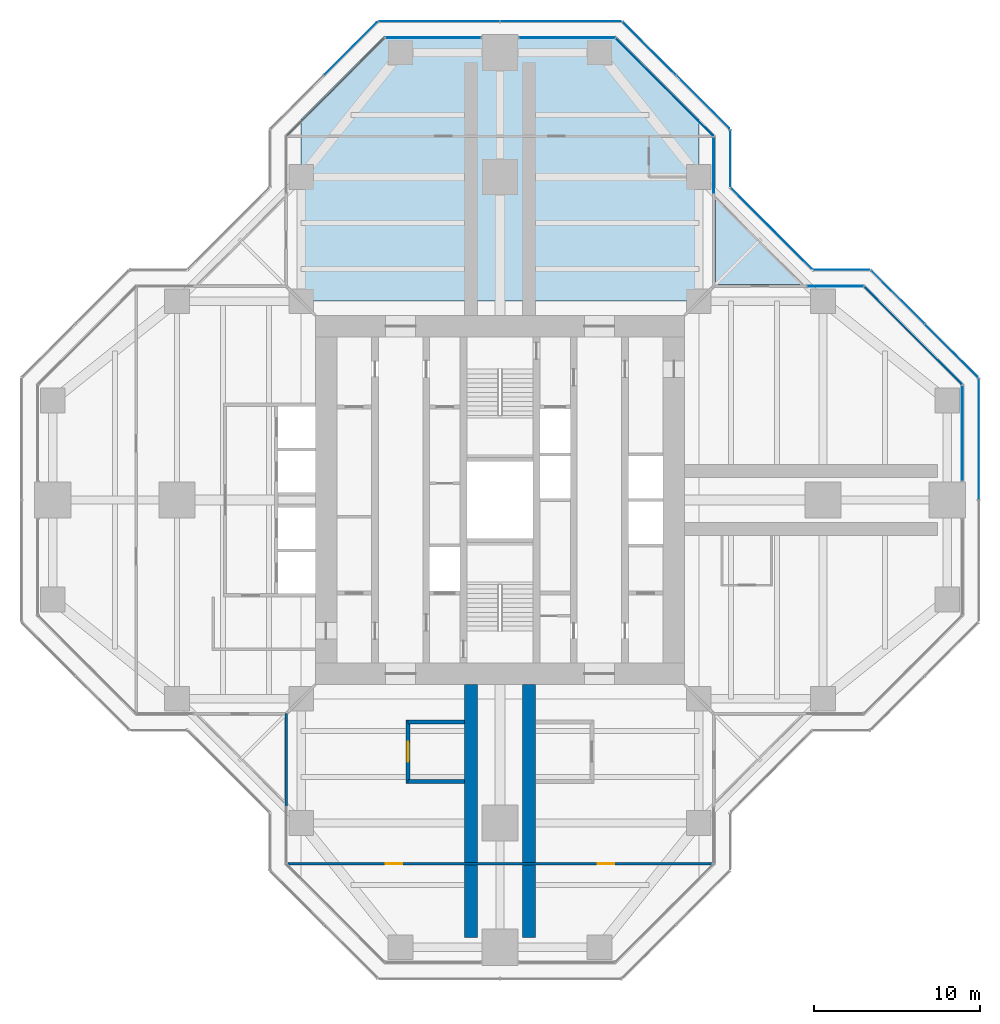
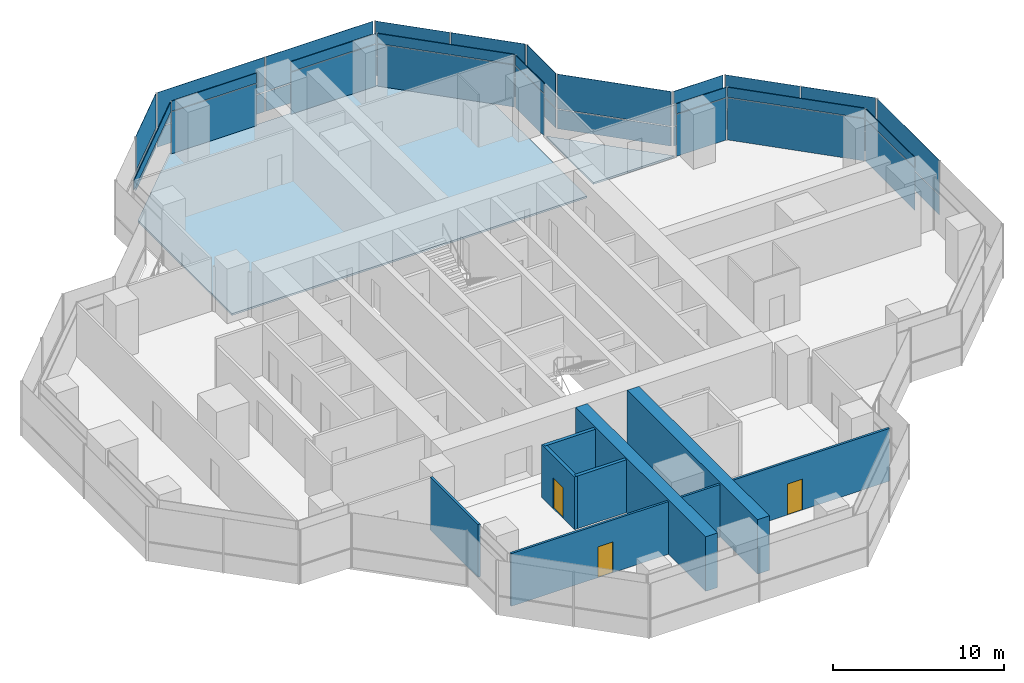
# One storey, part 12 of 17: 37 plates, 7 walls, 3 doors, 2 slabs, 3 openings, 16 elements without a shape of their own.
"""IFC4 building model written with IfcOpenShell, lengths in metres."""

from ifc_helpers import new_model, si_unit, direction, frame, frame_2d, origin, origin_2d, place, context, subcontext, project, spatial, polyline, rectangle, outline, extrude, material, layer, layer_set, type_object, element, fill, aggregate, save


model = new_model("IFC4")

# Units and contexts
model_context = context("Model", 3, precision=1e-05, world=origin(), true_north=direction((0.0, 1.0)))
body_context = subcontext(model_context, "Body", "Model", "MODEL_VIEW")
ifc_project = project(units=[si_unit("LENGTHUNIT", "METRE"), si_unit("AREAUNIT", "SQUARE_METRE"), si_unit("VOLUMEUNIT", "CUBIC_METRE"), si_unit("PLANEANGLEUNIT", "RADIAN"), si_unit("MASSUNIT", "GRAM", prefix="KILO")], contexts=[model_context])

# Site, building, storey
site_placement = place(None, origin())
site = spatial("IfcSite", under=ifc_project, at=site_placement, CompositionType="ELEMENT")
building_placement = place(site_placement, origin())
building = spatial("IfcBuilding", under=site, at=building_placement, Name="Mizan Broadcast Tower", CompositionType="ELEMENT")
storey_placement = place(building_placement, frame((0.0, 0.0, 220.5)))
storey = spatial("IfcBuildingStorey", under=building, at=storey_placement, Name="L51", CompositionType="ELEMENT", Elevation=220.5)

# Slab
ifc_material_1 = material(Name="Concrete C32/40", Category="concrete")
ifc_layer_1 = layer(ifc_material_1, 0.1298828125)
ifc_layer_set_1 = layer_set([ifc_layer_1], Name="Concrete C32/40")
slab_type_1 = type_object("IfcSlabType", Name="COMPOSITE DECK SLAB 130", PredefinedType="FLOOR", material=ifc_layer_set_1)
slab_1_placement = place(storey_placement, frame((0.0, 0.0, -0.1298828125)))
element("IfcSlab", 1, at=slab_1_placement, inside=storey, type_object=slab_type_1, Name="Floor slab L51 north arm", PredefinedType="FLOOR", context=body_context, shape_type="SweptSolid", body=[
    extrude(outline(polyline([(-7.0, 28.0), (-12.0, 23.0), (-12.0, 12.0), (12.0, 12.0), (12.0, 23.0), (7.0, 28.0), (-7.0, 28.0)])), origin(), (0.0, 0.0, 1.0), 0.1298828125),
])

# Curtain wall, plate
ifc_material_2 = material(Name="Aluminium framed glazing", Category="aluminium")
curtain_wall_type_1 = type_object("IfcCurtainWallType", Name="INNER SKIN HIGH ZONE", PredefinedType="USERDEFINED", material=ifc_material_2)
curtain_wall_1_placement = place(storey_placement, origin())
curtain_wall_1 = element("IfcCurtainWall", 2, at=curtain_wall_1_placement, inside=storey, type_object=curtain_wall_type_1, Name="Inner skin high zone L51 E end", ObjectType="INNER SKIN HIGH ZONE", PredefinedType="USERDEFINED")
ifc_material_3 = material(Name="Double glazing, clear low-e", Category="glass")
ifc_layer_2 = layer(ifc_material_3, 0.028076171875)
ifc_layer_set_2 = layer_set([ifc_layer_2], Name="Double glazing, clear low-e")
plate_type_1 = type_object("IfcPlateType", Name="INNER SKIN GLAZING UNIT", PredefinedType="CURTAIN_PANEL", material=ifc_layer_set_2)
plate_1_placement = place(storey_placement, frame((27.89990234375, 4.029296875, 0.0), z_axis=(0.0, 0.0, 1.0), x_axis=(0.0, 1.0, 0.0)))
plate_1 = element("IfcPlate", 3, at=plate_1_placement, type_object=plate_type_1, Name="Inner skin high zone L51 E end panel 1.1", PredefinedType="CURTAIN_PANEL", context=body_context, shape_type="SweptSolid", body=[
    extrude(rectangle(XDim=5.738525390625, YDim=0.028076171875, at=origin_2d()), origin(), (0.0, 0.0, 1.0), 3.0),
])

curtain_wall_2_placement = place(storey_placement, origin())
curtain_wall_2 = element("IfcCurtainWall", 4, at=curtain_wall_2_placement, inside=storey, type_object=curtain_wall_type_1, Name="Inner skin high zone L51 E chamfer", ObjectType="INNER SKIN HIGH ZONE", PredefinedType="USERDEFINED")
plate_2_placement = place(storey_placement, frame((24.92919921875, 9.92919921875, 0.0), z_axis=(0.0, 0.0, 1.0), x_axis=(-0.707106781187, 0.707106781187, 0.0)))
plate_2 = element("IfcPlate", 5, at=plate_2_placement, type_object=plate_type_1, Name="Inner skin high zone L51 E chamfer panel 1.1", PredefinedType="CURTAIN_PANEL", context=body_context, shape_type="SweptSolid", body=[
    extrude(rectangle(XDim=8.282470703125, YDim=0.028076171875, at=origin_2d()), origin(), (0.0, 0.0, 1.0), 3.0),
])

curtain_wall_3_placement = place(storey_placement, origin())
curtain_wall_3 = element("IfcCurtainWall", 6, at=curtain_wall_3_placement, inside=storey, type_object=curtain_wall_type_1, Name="Inner skin high zone L51 E side", ObjectType="INNER SKIN HIGH ZONE", PredefinedType="USERDEFINED")
plate_3_placement = place(storey_placement, frame((20.229248046875, 12.89990234375, 0.0), z_axis=(0.0, 0.0, 1.0), x_axis=(-1.0, 0.0, 0.0)))
plate_3 = element("IfcPlate", 7, at=plate_3_placement, type_object=plate_type_1, Name="Inner skin high zone L51 E side panel 1.1", PredefinedType="CURTAIN_PANEL", context=body_context, shape_type="SweptSolid", body=[
    extrude(rectangle(XDim=3.338623046875, YDim=0.028076171875, at=origin_2d()), origin(), (0.0, 0.0, 1.0), 3.0),
])

curtain_wall_4_placement = place(storey_placement, origin())
curtain_wall_4 = element("IfcCurtainWall", 8, at=curtain_wall_4_placement, inside=storey, type_object=curtain_wall_type_1, Name="Inner skin high zone L51 N side", ObjectType="INNER SKIN HIGH ZONE", PredefinedType="USERDEFINED")
plate_4_placement = place(storey_placement, frame((12.89990234375, 20.229248046875, 0.0), z_axis=(0.0, 0.0, 1.0), x_axis=(0.0, 1.0, 0.0)))
plate_4 = element("IfcPlate", 9, at=plate_4_placement, type_object=plate_type_1, Name="Inner skin high zone L51 N side panel 1.1", PredefinedType="CURTAIN_PANEL", context=body_context, shape_type="SweptSolid", body=[
    extrude(rectangle(XDim=3.338623046875, YDim=0.028076171875, at=origin_2d()), origin(), (0.0, 0.0, 1.0), 3.0),
])

curtain_wall_5_placement = place(storey_placement, origin())
curtain_wall_5 = element("IfcCurtainWall", 10, at=curtain_wall_5_placement, inside=storey, type_object=curtain_wall_type_1, Name="Inner skin high zone L51 N chamfer", ObjectType="INNER SKIN HIGH ZONE", PredefinedType="USERDEFINED")
plate_5_placement = place(storey_placement, frame((9.92919921875, 24.92919921875, 0.0), z_axis=(0.0, 0.0, 1.0), x_axis=(-0.707106781187, 0.707106781187, 0.0)))
plate_5 = element("IfcPlate", 11, at=plate_5_placement, type_object=plate_type_1, Name="Inner skin high zone L51 N chamfer panel 1.1", PredefinedType="CURTAIN_PANEL", context=body_context, shape_type="SweptSolid", body=[
    extrude(rectangle(XDim=8.282470703125, YDim=0.028076171875, at=origin_2d()), origin(), (0.0, 0.0, 1.0), 3.0),
])

curtain_wall_6_placement = place(storey_placement, origin())
curtain_wall_6 = element("IfcCurtainWall", 12, at=curtain_wall_6_placement, inside=storey, type_object=curtain_wall_type_1, Name="Inner skin high zone L51 N end", ObjectType="INNER SKIN HIGH ZONE", PredefinedType="USERDEFINED")
plate_6_placement = place(storey_placement, frame((4.029296875, 27.89990234375, 0.0), z_axis=(0.0, 0.0, 1.0), x_axis=(-1.0, 0.0, 0.0)))
plate_6 = element("IfcPlate", 13, at=plate_6_placement, type_object=plate_type_1, Name="Inner skin high zone L51 N end panel 1.1", PredefinedType="CURTAIN_PANEL", context=body_context, shape_type="SweptSolid", body=[
    extrude(rectangle(XDim=5.738525390625, YDim=0.028076171875, at=origin_2d()), origin(), (0.0, 0.0, 1.0), 3.0),
])

curtain_wall_7_placement = place(storey_placement, origin())
curtain_wall_7 = element("IfcCurtainWall", 14, at=curtain_wall_7_placement, inside=storey, type_object=curtain_wall_type_1, Name="Inner skin high zone L51 N end", ObjectType="INNER SKIN HIGH ZONE", PredefinedType="USERDEFINED")
plate_7_placement = place(storey_placement, frame((-4.029296875, 27.89990234375, 0.0), z_axis=(0.0, 0.0, 1.0), x_axis=(-1.0, 0.0, 0.0)))
plate_7 = element("IfcPlate", 15, at=plate_7_placement, type_object=plate_type_1, Name="Inner skin high zone L51 N end panel 1.1", PredefinedType="CURTAIN_PANEL", context=body_context, shape_type="SweptSolid", body=[
    extrude(rectangle(XDim=5.738525390625, YDim=0.028076171875, at=origin_2d()), origin(), (0.0, 0.0, 1.0), 3.0),
])

# Plate
ifc_material_4 = material(Name="Insulated aluminium spandrel panel, pale anodised", Category="aluminium")
ifc_layer_3 = layer(ifc_material_4, 0.050048828125)
ifc_layer_set_3 = layer_set([ifc_layer_3], Name="Insulated aluminium spandrel panel, pale anodised")
plate_type_2 = type_object("IfcPlateType", Name="INNER SKIN SPANDREL PANEL", PredefinedType="CURTAIN_PANEL", material=ifc_layer_set_3)
plate_8_placement = place(storey_placement, frame((27.89990234375, 4.029296875, 3.06005859375), z_axis=(0.0, 0.0, 1.0), x_axis=(0.0, 1.0, 0.0)))
plate_8 = element("IfcPlate", 16, at=plate_8_placement, type_object=plate_type_2, Name="Inner skin high zone L51 E end panel 1.2", PredefinedType="CURTAIN_PANEL", context=body_context, shape_type="SweptSolid", body=[
    extrude(rectangle(XDim=5.738525390625, YDim=0.050048828125, at=origin_2d()), origin(), (0.0, 0.0, 1.0), 0.7099609375),
])

aggregate(curtain_wall_1, [plate_1, plate_8])

plate_9_placement = place(storey_placement, frame((24.92919921875, 9.92919921875, 3.06005859375), z_axis=(0.0, 0.0, 1.0), x_axis=(-0.707106781187, 0.707106781187, 0.0)))
plate_9 = element("IfcPlate", 17, at=plate_9_placement, type_object=plate_type_2, Name="Inner skin high zone L51 E chamfer panel 1.2", PredefinedType="CURTAIN_PANEL", context=body_context, shape_type="SweptSolid", body=[
    extrude(rectangle(XDim=8.282470703125, YDim=0.050048828125, at=origin_2d()), origin(), (0.0, 0.0, 1.0), 0.7099609375),
])

aggregate(curtain_wall_2, [plate_2, plate_9])

plate_10_placement = place(storey_placement, frame((20.229248046875, 12.89990234375, 3.06005859375), z_axis=(0.0, 0.0, 1.0), x_axis=(-1.0, 0.0, 0.0)))
plate_10 = element("IfcPlate", 18, at=plate_10_placement, type_object=plate_type_2, Name="Inner skin high zone L51 E side panel 1.2", PredefinedType="CURTAIN_PANEL", context=body_context, shape_type="SweptSolid", body=[
    extrude(rectangle(XDim=3.338623046875, YDim=0.050048828125, at=origin_2d()), origin(), (0.0, 0.0, 1.0), 0.7099609375),
])

aggregate(curtain_wall_3, [plate_3, plate_10])

plate_11_placement = place(storey_placement, frame((12.89990234375, 20.229248046875, 3.06005859375), z_axis=(0.0, 0.0, 1.0), x_axis=(0.0, 1.0, 0.0)))
plate_11 = element("IfcPlate", 19, at=plate_11_placement, type_object=plate_type_2, Name="Inner skin high zone L51 N side panel 1.2", PredefinedType="CURTAIN_PANEL", context=body_context, shape_type="SweptSolid", body=[
    extrude(rectangle(XDim=3.338623046875, YDim=0.050048828125, at=origin_2d()), origin(), (0.0, 0.0, 1.0), 0.7099609375),
])

aggregate(curtain_wall_4, [plate_4, plate_11])

plate_12_placement = place(storey_placement, frame((9.92919921875, 24.92919921875, 3.06005859375), z_axis=(0.0, 0.0, 1.0), x_axis=(-0.707106781187, 0.707106781187, 0.0)))
plate_12 = element("IfcPlate", 20, at=plate_12_placement, type_object=plate_type_2, Name="Inner skin high zone L51 N chamfer panel 1.2", PredefinedType="CURTAIN_PANEL", context=body_context, shape_type="SweptSolid", body=[
    extrude(rectangle(XDim=8.282470703125, YDim=0.050048828125, at=origin_2d()), origin(), (0.0, 0.0, 1.0), 0.7099609375),
])

aggregate(curtain_wall_5, [plate_5, plate_12])

plate_13_placement = place(storey_placement, frame((4.029296875, 27.89990234375, 3.06005859375), z_axis=(0.0, 0.0, 1.0), x_axis=(-1.0, 0.0, 0.0)))
plate_13 = element("IfcPlate", 21, at=plate_13_placement, type_object=plate_type_2, Name="Inner skin high zone L51 N end panel 1.2", PredefinedType="CURTAIN_PANEL", context=body_context, shape_type="SweptSolid", body=[
    extrude(rectangle(XDim=5.738525390625, YDim=0.050048828125, at=origin_2d()), origin(), (0.0, 0.0, 1.0), 0.7099609375),
])

aggregate(curtain_wall_6, [plate_6, plate_13])

plate_14_placement = place(storey_placement, frame((-4.029296875, 27.89990234375, 3.06005859375), z_axis=(0.0, 0.0, 1.0), x_axis=(-1.0, 0.0, 0.0)))
plate_14 = element("IfcPlate", 22, at=plate_14_placement, type_object=plate_type_2, Name="Inner skin high zone L51 N end panel 1.2", PredefinedType="CURTAIN_PANEL", context=body_context, shape_type="SweptSolid", body=[
    extrude(rectangle(XDim=5.738525390625, YDim=0.050048828125, at=origin_2d()), origin(), (0.0, 0.0, 1.0), 0.7099609375),
])

aggregate(curtain_wall_7, [plate_7, plate_14])

# Curtain wall, plate
curtain_wall_8_placement = place(storey_placement, origin())
curtain_wall_8 = element("IfcCurtainWall", 23, at=curtain_wall_8_placement, inside=storey, type_object=curtain_wall_type_1, Name="Inner skin high zone L51 N chamfer", ObjectType="INNER SKIN HIGH ZONE", PredefinedType="USERDEFINED")
plate_15_placement = place(storey_placement, frame((-9.92919921875, 24.92919921875, 3.06005859375), z_axis=(0.0, 0.0, 1.0), x_axis=(-0.707106781187, -0.707106781187, 0.0)))
plate_15 = element("IfcPlate", 24, at=plate_15_placement, type_object=plate_type_2, Name="Inner skin high zone L51 N chamfer panel 1.2", PredefinedType="CURTAIN_PANEL", context=body_context, shape_type="SweptSolid", body=[
    extrude(rectangle(XDim=8.282470703125, YDim=0.050048828125, at=origin_2d()), origin(), (0.0, 0.0, 1.0), 0.7099609375),
])
aggregate(curtain_wall_8, [plate_15])

# Curtain wall, plates
ifc_material_5 = material(Name="Aluminium framed glazing", Category="aluminium")
curtain_wall_type_2 = type_object("IfcCurtainWallType", Name="OUTER SKIN", PredefinedType="USERDEFINED", material=ifc_material_5)
curtain_wall_9_placement = place(storey_placement, origin())
curtain_wall_9 = element("IfcCurtainWall", 25, at=curtain_wall_9_placement, inside=storey, type_object=curtain_wall_type_2, Name="Outer skin L51 E chamfer", ObjectType="OUTER SKIN", PredefinedType="USERDEFINED")
ifc_material_6 = material(Name="Laminated clear glass", Category="glass")
ifc_layer_4 = layer(ifc_material_6, 0.02001953125)
ifc_layer_set_4 = layer_set([ifc_layer_4], Name="Laminated clear glass")
plate_type_3 = type_object("IfcPlateType", Name="OUTER SKIN CLEAR GLASS", PredefinedType="CURTAIN_PANEL", material=ifc_layer_set_4)
plate_16_placement = place(storey_placement, frame((27.254150390625, 9.018798828125, 0.0), z_axis=(0.0, 0.0, 1.0), x_axis=(-0.707106781187, 0.707106781187, 0.0)))
plate_16 = element("IfcPlate", 26, at=plate_16_placement, type_object=plate_type_3, Name="Outer skin L51 E chamfer panel 1.1", PredefinedType="CURTAIN_PANEL", context=body_context, shape_type="SweptSolid", body=[
    extrude(rectangle(XDim=4.495361328125, YDim=0.02001953125, at=origin_2d()), origin(), (0.0, 0.0, 1.0), 1.3701171875),
])
plate_17_placement = place(storey_placement, frame((27.254150390625, 9.018798828125, 1.43017578125), z_axis=(0.0, 0.0, 1.0), x_axis=(-0.707106781187, 0.707106781187, 0.0)))
plate_17 = element("IfcPlate", 27, at=plate_17_placement, type_object=plate_type_3, Name="Outer skin L51 E chamfer panel 1.2", PredefinedType="CURTAIN_PANEL", context=body_context, shape_type="SweptSolid", body=[
    extrude(rectangle(XDim=4.495361328125, YDim=0.02001953125, at=origin_2d()), origin(), (0.0, 0.0, 1.0), 2.469970703125),
])

curtain_wall_10_placement = place(storey_placement, origin())
curtain_wall_10 = element("IfcCurtainWall", 28, at=curtain_wall_10_placement, inside=storey, type_object=curtain_wall_type_2, Name="Outer skin L51 E side", ObjectType="OUTER SKIN", PredefinedType="USERDEFINED")
plate_18_placement = place(storey_placement, frame((20.622802734375, 13.89990234375, 0.0), z_axis=(0.0, 0.0, 1.0), x_axis=(-1.0, 0.0, 0.0)))
plate_18 = element("IfcPlate", 29, at=plate_18_placement, type_object=plate_type_3, Name="Outer skin L51 E side panel 1.1", PredefinedType="CURTAIN_PANEL", context=body_context, shape_type="SweptSolid", body=[
    extrude(rectangle(XDim=3.340087890625, YDim=0.02001953125, at=origin_2d()), origin(), (0.0, 0.0, 1.0), 1.3701171875),
])
plate_19_placement = place(storey_placement, frame((20.622802734375, 13.89990234375, 1.43017578125), z_axis=(0.0, 0.0, 1.0), x_axis=(-1.0, 0.0, 0.0)))
plate_19 = element("IfcPlate", 30, at=plate_19_placement, type_object=plate_type_3, Name="Outer skin L51 E side panel 1.2", PredefinedType="CURTAIN_PANEL", context=body_context, shape_type="SweptSolid", body=[
    extrude(rectangle(XDim=3.340087890625, YDim=0.02001953125, at=origin_2d()), origin(), (0.0, 0.0, 1.0), 2.469970703125),
])
aggregate(curtain_wall_10, [plate_18, plate_19])

curtain_wall_11_placement = place(storey_placement, origin())
curtain_wall_11 = element("IfcCurtainWall", 31, at=curtain_wall_11_placement, inside=storey, type_object=curtain_wall_type_2, Name="Outer skin L51 E chamfer", ObjectType="OUTER SKIN", PredefinedType="USERDEFINED")
plate_20_placement = place(storey_placement, frame((16.386474609375, 16.386474609375, 0.0), z_axis=(0.0, 0.0, 1.0), x_axis=(-0.707106781187, 0.707106781187, 0.0)))
plate_20 = element("IfcPlate", 32, at=plate_20_placement, type_object=plate_type_3, Name="Outer skin L51 E chamfer panel 1.1", PredefinedType="CURTAIN_PANEL", context=body_context, shape_type="SweptSolid", body=[
    extrude(rectangle(XDim=6.87255859375, YDim=0.02001953125, at=origin_2d()), origin(), (0.0, 0.0, 1.0), 1.3701171875),
])
plate_21_placement = place(storey_placement, frame((16.386474609375, 16.386474609375, 1.43017578125), z_axis=(0.0, 0.0, 1.0), x_axis=(-0.707106781187, 0.707106781187, 0.0)))
plate_21 = element("IfcPlate", 33, at=plate_21_placement, type_object=plate_type_3, Name="Outer skin L51 E chamfer panel 1.2", PredefinedType="CURTAIN_PANEL", context=body_context, shape_type="SweptSolid", body=[
    extrude(rectangle(XDim=6.87255859375, YDim=0.02001953125, at=origin_2d()), origin(), (0.0, 0.0, 1.0), 2.469970703125),
])
aggregate(curtain_wall_11, [plate_20, plate_21])

curtain_wall_12_placement = place(storey_placement, origin())
curtain_wall_12 = element("IfcCurtainWall", 34, at=curtain_wall_12_placement, inside=storey, type_object=curtain_wall_type_2, Name="Outer skin L51 N side", ObjectType="OUTER SKIN", PredefinedType="USERDEFINED")
plate_22_placement = place(storey_placement, frame((13.89990234375, 20.622802734375, 0.0), z_axis=(0.0, 0.0, 1.0), x_axis=(0.0, 1.0, 0.0)))
plate_22 = element("IfcPlate", 35, at=plate_22_placement, type_object=plate_type_3, Name="Outer skin L51 N side panel 1.1", PredefinedType="CURTAIN_PANEL", context=body_context, shape_type="SweptSolid", body=[
    extrude(rectangle(XDim=3.340087890625, YDim=0.02001953125, at=origin_2d()), origin(), (0.0, 0.0, 1.0), 1.3701171875),
])
plate_23_placement = place(storey_placement, frame((13.89990234375, 20.622802734375, 1.43017578125), z_axis=(0.0, 0.0, 1.0), x_axis=(0.0, 1.0, 0.0)))
plate_23 = element("IfcPlate", 36, at=plate_23_placement, type_object=plate_type_3, Name="Outer skin L51 N side panel 1.2", PredefinedType="CURTAIN_PANEL", context=body_context, shape_type="SweptSolid", body=[
    extrude(rectangle(XDim=3.340087890625, YDim=0.02001953125, at=origin_2d()), origin(), (0.0, 0.0, 1.0), 2.469970703125),
])
aggregate(curtain_wall_12, [plate_22, plate_23])

curtain_wall_13_placement = place(storey_placement, origin())
curtain_wall_13 = element("IfcCurtainWall", 37, at=curtain_wall_13_placement, inside=storey, type_object=curtain_wall_type_2, Name="Outer skin L51 N chamfer", ObjectType="OUTER SKIN", PredefinedType="USERDEFINED")
plate_24_placement = place(storey_placement, frame((12.254150390625, 24.018798828125, 0.0), z_axis=(0.0, 0.0, 1.0), x_axis=(-0.707106781187, 0.707106781187, 0.0)))
plate_24 = element("IfcPlate", 38, at=plate_24_placement, type_object=plate_type_3, Name="Outer skin L51 N chamfer panel 1.1", PredefinedType="CURTAIN_PANEL", context=body_context, shape_type="SweptSolid", body=[
    extrude(rectangle(XDim=4.495361328125, YDim=0.02001953125, at=origin_2d()), origin(), (0.0, 0.0, 1.0), 1.3701171875),
])
plate_25_placement = place(storey_placement, frame((12.254150390625, 24.018798828125, 1.43017578125), z_axis=(0.0, 0.0, 1.0), x_axis=(-0.707106781187, 0.707106781187, 0.0)))
plate_25 = element("IfcPlate", 39, at=plate_25_placement, type_object=plate_type_3, Name="Outer skin L51 N chamfer panel 1.2", PredefinedType="CURTAIN_PANEL", context=body_context, shape_type="SweptSolid", body=[
    extrude(rectangle(XDim=4.495361328125, YDim=0.02001953125, at=origin_2d()), origin(), (0.0, 0.0, 1.0), 2.469970703125),
])

curtain_wall_14_placement = place(storey_placement, origin())
curtain_wall_14 = element("IfcCurtainWall", 40, at=curtain_wall_14_placement, inside=storey, type_object=curtain_wall_type_2, Name="Outer skin L51 N end", ObjectType="OUTER SKIN", PredefinedType="USERDEFINED")
plate_26_placement = place(storey_placement, frame((3.66650390625, 28.89990234375, 0.0), z_axis=(0.0, 0.0, 1.0), x_axis=(-1.0, 0.0, 0.0)))
plate_26 = element("IfcPlate", 41, at=plate_26_placement, type_object=plate_type_3, Name="Outer skin L51 N end panel 1.1", PredefinedType="CURTAIN_PANEL", context=body_context, shape_type="SweptSolid", body=[
    extrude(rectangle(XDim=7.252685546875, YDim=0.02001953125, at=origin_2d()), origin(), (0.0, 0.0, 1.0), 1.3701171875),
])
plate_27_placement = place(storey_placement, frame((3.66650390625, 28.89990234375, 1.43017578125), z_axis=(0.0, 0.0, 1.0), x_axis=(-1.0, 0.0, 0.0)))
plate_27 = element("IfcPlate", 42, at=plate_27_placement, type_object=plate_type_3, Name="Outer skin L51 N end panel 1.2", PredefinedType="CURTAIN_PANEL", context=body_context, shape_type="SweptSolid", body=[
    extrude(rectangle(XDim=7.252685546875, YDim=0.02001953125, at=origin_2d()), origin(), (0.0, 0.0, 1.0), 2.469970703125),
])
plate_28_placement = place(storey_placement, frame((-3.66650390625, 28.89990234375, 0.0), z_axis=(0.0, 0.0, 1.0), x_axis=(-1.0, 0.0, 0.0)))
plate_28 = element("IfcPlate", 43, at=plate_28_placement, type_object=plate_type_3, Name="Outer skin L51 N end panel 2.1", PredefinedType="CURTAIN_PANEL", context=body_context, shape_type="SweptSolid", body=[
    extrude(rectangle(XDim=7.252685546875, YDim=0.02001953125, at=origin_2d()), origin(), (0.0, 0.0, 1.0), 1.3701171875),
])
plate_29_placement = place(storey_placement, frame((-3.66650390625, 28.89990234375, 1.43017578125), z_axis=(0.0, 0.0, 1.0), x_axis=(-1.0, 0.0, 0.0)))
plate_29 = element("IfcPlate", 44, at=plate_29_placement, type_object=plate_type_3, Name="Outer skin L51 N end panel 2.2", PredefinedType="CURTAIN_PANEL", context=body_context, shape_type="SweptSolid", body=[
    extrude(rectangle(XDim=7.252685546875, YDim=0.02001953125, at=origin_2d()), origin(), (0.0, 0.0, 1.0), 2.469970703125),
])
aggregate(curtain_wall_14, [plate_26, plate_27, plate_28, plate_29])

curtain_wall_15_placement = place(storey_placement, origin())
curtain_wall_15 = element("IfcCurtainWall", 45, at=curtain_wall_15_placement, inside=storey, type_object=curtain_wall_type_2, Name="Outer skin L51 N chamfer", ObjectType="OUTER SKIN", PredefinedType="USERDEFINED")
plate_30_placement = place(storey_placement, frame((-9.018798828125, 27.254150390625, 0.0), z_axis=(0.0, 0.0, 1.0), x_axis=(-0.707106781187, -0.707106781187, 0.0)))
plate_30 = element("IfcPlate", 46, at=plate_30_placement, type_object=plate_type_3, Name="Outer skin L51 N chamfer panel 1.1", PredefinedType="CURTAIN_PANEL", context=body_context, shape_type="SweptSolid", body=[
    extrude(rectangle(XDim=4.495361328125, YDim=0.02001953125, at=origin_2d()), origin(), (0.0, 0.0, 1.0), 1.3701171875),
])
plate_31_placement = place(storey_placement, frame((-9.018798828125, 27.254150390625, 1.43017578125), z_axis=(0.0, 0.0, 1.0), x_axis=(-0.707106781187, -0.707106781187, 0.0)))
plate_31 = element("IfcPlate", 47, at=plate_31_placement, type_object=plate_type_3, Name="Outer skin L51 N chamfer panel 1.2", PredefinedType="CURTAIN_PANEL", context=body_context, shape_type="SweptSolid", body=[
    extrude(rectangle(XDim=4.495361328125, YDim=0.02001953125, at=origin_2d()), origin(), (0.0, 0.0, 1.0), 2.469970703125),
])
aggregate(curtain_wall_15, [plate_30, plate_31])

curtain_wall_16_placement = place(storey_placement, origin())
curtain_wall_16 = element("IfcCurtainWall", 48, at=curtain_wall_16_placement, inside=storey, type_object=curtain_wall_type_2, Name="Outer skin L51 E end", ObjectType="OUTER SKIN", PredefinedType="USERDEFINED")
ifc_material_7 = material(Name="Perforated aluminium, pale anodised", Category="aluminium")
ifc_layer_5 = layer(ifc_material_7, 0.011962890625)
ifc_layer_set_5 = layer_set([ifc_layer_5], Name="Perforated aluminium, pale anodised")
plate_type_4 = type_object("IfcPlateType", Name="OUTER SKIN PERFORATED SCREEN", PredefinedType="USERDEFINED", material=ifc_layer_set_5)
plate_32_placement = place(storey_placement, frame((28.89990234375, 3.66650390625, 0.0), z_axis=(0.0, 0.0, 1.0), x_axis=(0.0, 1.0, 0.0)))
plate_32 = element("IfcPlate", 49, at=plate_32_placement, type_object=plate_type_4, Name="Outer skin L51 E end panel 2.1", ObjectType="SCREEN", PredefinedType="USERDEFINED", context=body_context, shape_type="SweptSolid", body=[
    extrude(rectangle(XDim=7.252685546875, YDim=0.011962890625, at=origin_2d()), origin(), (0.0, 0.0, 1.0), 1.3701171875),
])
plate_33_placement = place(storey_placement, frame((28.89990234375, 3.66650390625, 1.43017578125), z_axis=(0.0, 0.0, 1.0), x_axis=(0.0, 1.0, 0.0)))
plate_33 = element("IfcPlate", 50, at=plate_33_placement, type_object=plate_type_4, Name="Outer skin L51 E end panel 2.2", ObjectType="SCREEN", PredefinedType="USERDEFINED", context=body_context, shape_type="SweptSolid", body=[
    extrude(rectangle(XDim=7.252685546875, YDim=0.011962890625, at=origin_2d()), origin(), (0.0, 0.0, 1.0), 2.469970703125),
])
aggregate(curtain_wall_16, [plate_32, plate_33])

# Plate
plate_34_placement = place(storey_placement, frame((24.018798828125, 12.254150390625, 0.0), z_axis=(0.0, 0.0, 1.0), x_axis=(-0.707106781187, 0.707106781187, 0.0)))
plate_34 = element("IfcPlate", 51, at=plate_34_placement, type_object=plate_type_4, Name="Outer skin L51 E chamfer panel 2.1", ObjectType="SCREEN", PredefinedType="USERDEFINED", context=body_context, shape_type="SweptSolid", body=[
    extrude(rectangle(XDim=4.495361328125, YDim=0.011962890625, at=origin_2d()), origin(), (0.0, 0.0, 1.0), 1.3701171875),
])

plate_35_placement = place(storey_placement, frame((24.018798828125, 12.254150390625, 1.43017578125), z_axis=(0.0, 0.0, 1.0), x_axis=(-0.707106781187, 0.707106781187, 0.0)))
plate_35 = element("IfcPlate", 52, at=plate_35_placement, type_object=plate_type_4, Name="Outer skin L51 E chamfer panel 2.2", ObjectType="SCREEN", PredefinedType="USERDEFINED", context=body_context, shape_type="SweptSolid", body=[
    extrude(rectangle(XDim=4.495361328125, YDim=0.011962890625, at=origin_2d()), origin(), (0.0, 0.0, 1.0), 2.469970703125),
])

aggregate(curtain_wall_9, [plate_16, plate_17, plate_34, plate_35])

plate_36_placement = place(storey_placement, frame((9.018798828125, 27.254150390625, 0.0), z_axis=(0.0, 0.0, 1.0), x_axis=(-0.707106781187, 0.707106781187, 0.0)))
plate_36 = element("IfcPlate", 53, at=plate_36_placement, type_object=plate_type_4, Name="Outer skin L51 N chamfer panel 2.1", ObjectType="SCREEN", PredefinedType="USERDEFINED", context=body_context, shape_type="SweptSolid", body=[
    extrude(rectangle(XDim=4.495361328125, YDim=0.011962890625, at=origin_2d()), origin(), (0.0, 0.0, 1.0), 1.3701171875),
])

plate_37_placement = place(storey_placement, frame((9.018798828125, 27.254150390625, 1.43017578125), z_axis=(0.0, 0.0, 1.0), x_axis=(-0.707106781187, 0.707106781187, 0.0)))
plate_37 = element("IfcPlate", 54, at=plate_37_placement, type_object=plate_type_4, Name="Outer skin L51 N chamfer panel 2.2", ObjectType="SCREEN", PredefinedType="USERDEFINED", context=body_context, shape_type="SweptSolid", body=[
    extrude(rectangle(XDim=4.495361328125, YDim=0.011962890625, at=origin_2d()), origin(), (0.0, 0.0, 1.0), 2.469970703125),
])

aggregate(curtain_wall_13, [plate_24, plate_25, plate_36, plate_37])

# Slab
ifc_material_8 = material(Name="Concrete C32/40", Category="concrete")
ifc_layer_6 = layer(ifc_material_8, 0.1298828125)
ifc_layer_set_6 = layer_set([ifc_layer_6], Name="Concrete C32/40")
slab_type_2 = type_object("IfcSlabType", Name="WINTER GARDEN SLAB 130", PredefinedType="FLOOR", material=ifc_layer_set_6)
slab_2_placement = place(storey_placement, frame((0.0, 0.0, -0.1298828125)))
element("IfcSlab", 55, at=slab_2_placement, inside=storey, type_object=slab_type_2, Name="Winter garden slab L51 E", PredefinedType="FLOOR", context=body_context, shape_type="SweptSolid", body=[
    extrude(outline(polyline([(13.0, 13.0), (18.5, 13.0), (13.0, 18.5), (13.0, 13.0)])), origin(), (0.0, 0.0, 1.0), 0.1298828125),
])

# Wall
ifc_material_9 = material(Name="Aluminium framed glazed screen", Category="aluminium")
ifc_layer_7 = layer(ifc_material_9, 0.159912109375)
ifc_layer_set_7 = layer_set([ifc_layer_7], Name="Aluminium framed glazed screen")
wall_type_1 = type_object("IfcWallType", Name="GLAZED SCREEN WALL 160", PredefinedType="SOLIDWALL", material=ifc_layer_set_7)
wall_1_placement = place(storey_placement, frame((-12.89990234375, -12.89990234375, 0.0), z_axis=(0.0, 0.0, 1.0), x_axis=(0.0, -1.0, 0.0)))
element("IfcWall", 56, at=wall_1_placement, inside=storey, type_object=wall_type_1, Name="Winter garden screen L51 S", PredefinedType="SOLIDWALL", context=body_context, shape_type="SweptSolid", body=[
    extrude(rectangle(XDim=5.60009765625, YDim=0.159912109375, at=frame_2d((2.800048828125, 0.0))), origin(), (0.0, 0.0, 1.0), 3.77001953125),
])

# Wall, openings, doors
ifc_material_10 = material(Name="Gypsum board on steel studs", Category="steel")
ifc_layer_8 = layer(ifc_material_10, 0.14990234375)
ifc_layer_set_8 = layer_set([ifc_layer_8], Name="Gypsum board on steel studs")
wall_type_2 = type_object("IfcWallType", Name="PARTITION 150", PredefinedType="PARTITIONING", material=ifc_layer_set_8)
wall_2_placement = place(storey_placement, frame((-12.786376953125, -21.958984375, 0.0), z_axis=(0.0, 0.0, 1.0), x_axis=(1.0, 0.0, 0.0)))
wall_2 = element("IfcWall", 57, at=wall_2_placement, inside=storey, type_object=wall_type_2, Name="Partition PT/SX1", PredefinedType="PARTITIONING", context=body_context, shape_type="SweptSolid", body=[
    extrude(rectangle(XDim=25.57275390625, YDim=0.14990234375, at=frame_2d((12.786376953125, 0.0))), origin(), (0.0, 0.0, 1.0), 3.77001953125),
])
opening_1_placement = place(wall_2_placement, frame((18.6865234375, 0.0, 0.0)))
opening_1 = element("IfcOpeningElement", 58, at=opening_1_placement, cuts=wall_2, Name="Opening D10", PredefinedType="OPENING", context=body_context, shape_type="SweptSolid", body=[
    extrude(rectangle(XDim=1.0, YDim=2.199951171875, at=frame_2d((0.5, 1.10009765625))), frame((0.0, 0.0849609375, 0.0), z_axis=(0.0, -1.0, 0.0), x_axis=(1.0, 0.0, 0.0)), (0.0, 0.0, 1.0), 0.169921875),
])
opening_2_placement = place(wall_2_placement, frame((5.886474609375, 0.0, 0.0)))
opening_2 = element("IfcOpeningElement", 59, at=opening_2_placement, cuts=wall_2, Name="Opening D10", PredefinedType="OPENING", context=body_context, shape_type="SweptSolid", body=[
    extrude(rectangle(XDim=1.0, YDim=2.199951171875, at=frame_2d((0.5, 1.10009765625))), frame((0.0, 0.0849609375, 0.0), z_axis=(0.0, -1.0, 0.0), x_axis=(1.0, 0.0, 0.0)), (0.0, 0.0, 1.0), 0.169921875),
])
ifc_material_11 = material(Name="Timber door leaf in aluminium frame", Category="wood")
door_type_1 = type_object("IfcDoorType", Name="ROOM DOOR 1000", OperationType="SINGLE_SWING_LEFT", PredefinedType="DOOR", material=ifc_material_11)
door_1_placement = place(opening_1_placement, origin())
door_1 = element("IfcDoor", 60, at=door_1_placement, inside=storey, type_object=door_type_1, Name="Meeting room door", OperationType="SINGLE_SWING_RIGHT", OverallHeight=2.199951171875, OverallWidth=1.0, PredefinedType="DOOR", context=body_context, shape_type="SweptSolid", body=[
    extrude(rectangle(XDim=1.0, YDim=2.199951171875, at=frame_2d((0.5, 1.10009765625))), frame((0.0, 0.02490234375, 0.0), z_axis=(0.0, -1.0, 0.0), x_axis=(1.0, 0.0, 0.0)), (0.0, 0.0, 1.0), 0.050048828125),
])
fill(opening_1, door_1)
door_2_placement = place(opening_2_placement, origin())
door_2 = element("IfcDoor", 61, at=door_2_placement, inside=storey, type_object=door_type_1, Name="Meeting room door", OperationType="SINGLE_SWING_LEFT", OverallHeight=2.199951171875, OverallWidth=1.0, PredefinedType="DOOR", context=body_context, shape_type="SweptSolid", body=[
    extrude(rectangle(XDim=1.0, YDim=2.199951171875, at=frame_2d((0.5, 1.10009765625))), frame((0.0, 0.02490234375, 0.0), z_axis=(0.0, -1.0, 0.0), x_axis=(1.0, 0.0, 0.0)), (0.0, 0.0, 1.0), 0.050048828125),
])
fill(opening_2, door_2)

# Walls
ifc_material_12 = material(Name="Twin steel stud acoustic partition, four layers of gypsum board", Category="steel")
ifc_layer_9 = layer(ifc_material_12, 0.22509765625)
ifc_layer_set_9 = layer_set([ifc_layer_9], Name="Twin steel stud acoustic partition, four layers of gypsum board")
wall_type_3 = type_object("IfcWallType", Name="PARTITION ACOUSTIC 225", PredefinedType="PARTITIONING", material=ifc_layer_set_9)
for number, where, z_axis, x_axis, name in (
    (62, (-2.14990234375, -13.39990234375, 0.0), (0.0, 0.0, 1.0), (-1.0, 0.0, 0.0), "Acoustic partition PT/SKN0a"),
    (63, (-2.14990234375, -17.0, 0.0), (0.0, 0.0, 1.0), (-1.0, 0.0, 0.0), "Acoustic partition PT/SKN0b"),
):
    element("IfcWall", number, at=place(storey_placement, frame(where, z_axis=z_axis, x_axis=x_axis)), inside=storey, type_object=wall_type_3, Name=name, PredefinedType="PARTITIONING", context=body_context, shape_type="SweptSolid", body=[
        extrude(rectangle(XDim=3.400146484375, YDim=0.22509765625, at=frame_2d((1.7001953125, 0.0))), origin(), (0.0, 0.0, 1.0), 3.77001953125),
    ])

# Wall, opening, door
wall_3_placement = place(storey_placement, frame((-5.550048828125, -13.28759765625, 0.0), z_axis=(0.0, 0.0, 1.0), x_axis=(0.0, -1.0, 0.0)))
wall_3 = element("IfcWall", 64, at=wall_3_placement, inside=storey, type_object=wall_type_3, Name="Acoustic partition PT/SKN0f", PredefinedType="PARTITIONING", context=body_context, shape_type="SweptSolid", body=[
    extrude(rectangle(XDim=3.824951171875, YDim=0.22509765625, at=frame_2d((1.91259765625, 0.0))), origin(), (0.0, 0.0, 1.0), 3.77001953125),
])
opening_3_placement = place(wall_3_placement, frame((1.3125, 0.0, 0.0)))
opening_3 = element("IfcOpeningElement", 65, at=opening_3_placement, cuts=wall_3, Name="Opening D12A", PredefinedType="OPENING", context=body_context, shape_type="SweptSolid", body=[
    extrude(rectangle(XDim=1.199951171875, YDim=2.199951171875, at=frame_2d((0.60009765625, 1.10009765625))), frame((0.0, 0.12255859375, 0.0), z_axis=(0.0, -1.0, 0.0), x_axis=(1.0, 0.0, 0.0)), (0.0, 0.0, 1.0), 0.2451171875),
])
ifc_material_13 = material(Name="Timber door leaf in aluminium frame", Category="wood")
door_type_2 = type_object("IfcDoorType", Name="ACOUSTIC DOOR 1200", OperationType="SINGLE_SWING_LEFT", PredefinedType="DOOR", material=ifc_material_13)
door_3_placement = place(opening_3_placement, origin())
door_3 = element("IfcDoor", 66, at=door_3_placement, inside=storey, type_object=door_type_2, Name="Edit suite door", OperationType="SINGLE_SWING_LEFT", OverallHeight=2.199951171875, OverallWidth=1.199951171875, PredefinedType="DOOR", context=body_context, shape_type="SweptSolid", body=[
    extrude(rectangle(XDim=1.199951171875, YDim=2.199951171875, at=frame_2d((0.60009765625, 1.10009765625))), frame((0.0, 0.02490234375, 0.0), z_axis=(0.0, -1.0, 0.0), x_axis=(1.0, 0.0, 0.0)), (0.0, 0.0, 1.0), 0.050048828125),
])
fill(opening_3, door_3)

# Walls
ifc_material_14 = material(Name="Concrete C70/85", Category="concrete")
ifc_layer_10 = layer(ifc_material_14, 0.800048828125)
ifc_layer_set_10 = layer_set([ifc_layer_10], Name="Concrete C70/85")
wall_type_4 = type_object("IfcWallType", Name="SPINE WALL 800", PredefinedType="SHEAR", material=ifc_layer_set_10)
for number, where, z_axis, x_axis, name in (
    (67, (-1.75, -11.14990234375, 0.0), (0.0, 0.0, 1.0), (0.0, -1.0, 0.0), "Spine wall SR L51"),
    (68, (1.75, -11.14990234375, 0.0), (0.0, 0.0, 1.0), (0.0, -1.0, 0.0), "Spine wall SL L51"),
):
    element("IfcWall", number, at=place(storey_placement, frame(where, z_axis=z_axis, x_axis=x_axis)), inside=storey, type_object=wall_type_4, Name=name, PredefinedType="SHEAR", context=body_context, shape_type="SweptSolid", body=[
        extrude(rectangle(XDim=15.25, YDim=0.800048828125, at=frame_2d((7.625, 0.0))), origin(), (0.0, 0.0, 1.0), 3.89990234375),
    ])

save(model, "model.ifc")
